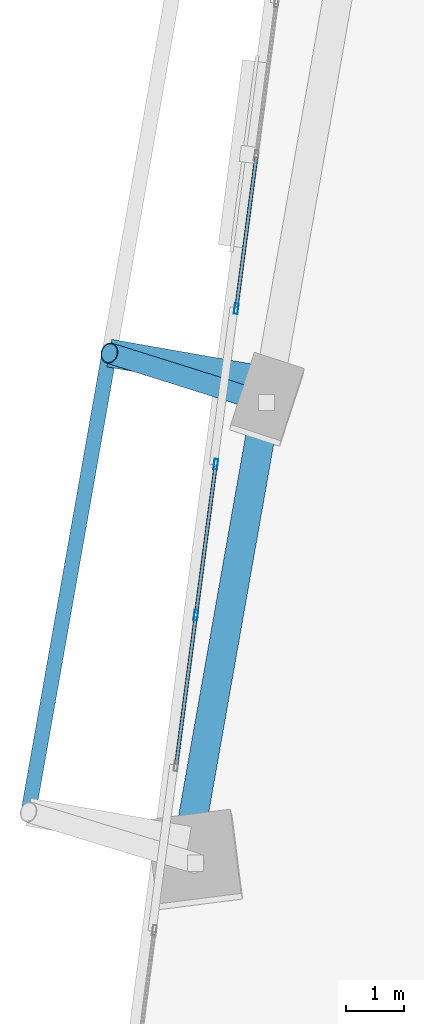
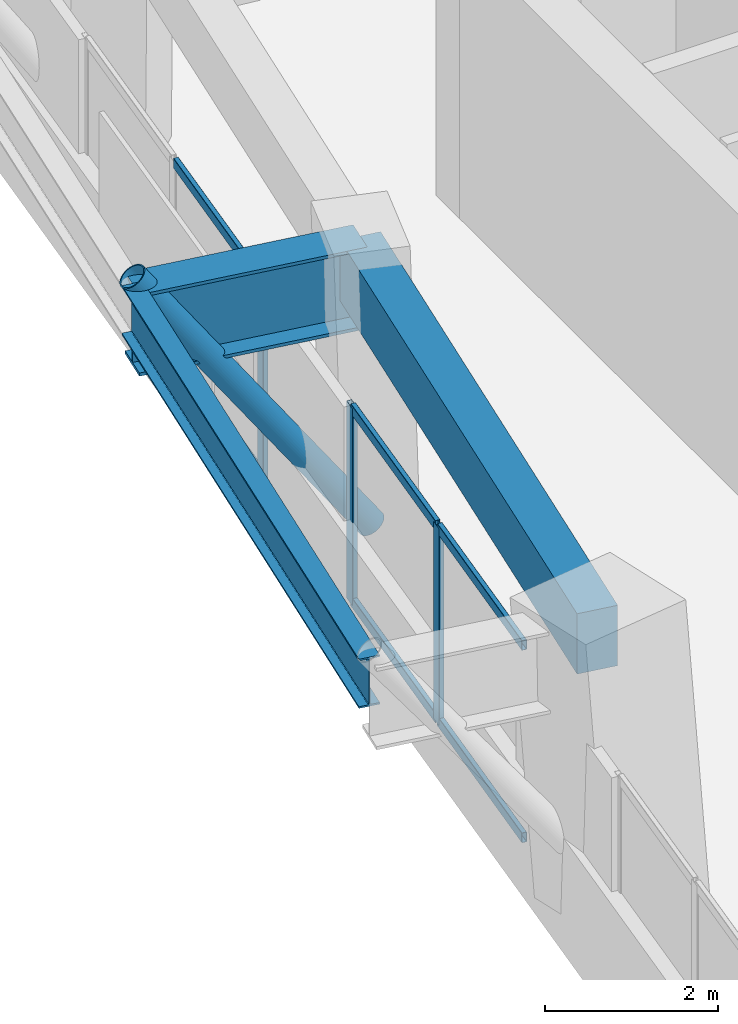
# One storey, part 6 of 24: 10 members, 3 beams, 2 elements without a shape of their own.
"""IFC4 building model written with IfcOpenShell, lengths in metres."""

from ifc_helpers import new_model, si_unit, direction, frame, origin, origin_2d, place, context, subcontext, project, spatial, rectangle, hollow_rectangle, hollow_circle, i_section, extrude, source, transform, mapped, material, material_profile, profile_set, type_object, element, aggregate, save


model = new_model("IFC4")

# Units and contexts
model_context = context("Model", 3, precision=1e-05, world=origin(), true_north=direction((0.0, 1.0)))
body_context = subcontext(model_context, "Body", "Model", "MODEL_VIEW")
ifc_project = project(units=[si_unit("LENGTHUNIT", "METRE"), si_unit("AREAUNIT", "SQUARE_METRE"), si_unit("VOLUMEUNIT", "CUBIC_METRE"), si_unit("PLANEANGLEUNIT", "RADIAN"), si_unit("MASSUNIT", "GRAM", prefix="KILO")], contexts=[model_context])

# Site, building, storey
site_placement = place(None, origin())
site = spatial("IfcSite", under=ifc_project, at=site_placement, CompositionType="ELEMENT")
building_placement = place(site_placement, origin())
building = spatial("IfcBuilding", under=site, at=building_placement, Name="Torre Montelarca", CompositionType="ELEMENT")
storey_placement = place(building_placement, frame((0.0, 0.0, 70.60009765625)))
storey = spatial("IfcBuildingStorey", under=building, at=storey_placement, Name="L15", CompositionType="ELEMENT", Elevation=70.60009765625)

# Member
ifc_material_1 = material(Name="Steel ASTM A500 Grade C", Category="steel")
ifc_material_profile_1 = material_profile(ifc_material_1, hollow_circle(Radius=0.177734375, WallThickness=0.015869140625, at=origin_2d()), Name="HSS355.6X15.9", Category="steel")
ifc_profile_set_1 = profile_set([ifc_material_profile_1], Name="Steel ASTM A500 Grade C")
member_type_1 = type_object("IfcMemberType", Name="MB-BR-CHS356-EXT", PredefinedType="BRACE", material=ifc_profile_set_1)
shared_shape_1 = source(origin(), body_context, "Body", "SweptSolid", [
    extrude(hollow_circle(Radius=0.177734375, WallThickness=0.015869140625, at=origin_2d()), origin(), (0.0, 0.0, 1.0), 4.825439453125),
])
member_1_placement = place(storey_placement, frame((4.84619140625, 34.563232421875, 0.14990234375), z_axis=(-0.559056876718, 0.175913190982, 0.810253020872), x_axis=(-0.300152061778, -0.953891366881, 0.0)))
element("IfcMember", 1, at=member_1_placement, inside=storey, type_object=member_type_1, Name="L16 Sliding Tray Exterior Diagonal Raker Strut W2", PredefinedType="BRACE", context=body_context, shape_type="MappedRepresentation", body=[
    mapped(shared_shape_1, transform((0.0, 0.0, 0.0), scale=1.0)),
])

# Beams
ifc_material_2 = material(Name="Concrete C55/67", Category="concrete")
ifc_material_profile_2 = material_profile(ifc_material_2, rectangle(XDim=0.5, YDim=0.85009765625, at=origin_2d()), Name="RCB500X850", Category="concrete")
ifc_profile_set_2 = profile_set([ifc_material_profile_2], Name="Concrete C55/67")
beam_type_1 = type_object("IfcBeamType", Name="BM-SP-RC850-EXT", PredefinedType="SPANDREL", material=ifc_profile_set_2)
shared_shape_2 = source(origin(), body_context, "Body", "SweptSolid", [
    extrude(rectangle(XDim=0.5, YDim=0.85009765625, at=origin_2d()), origin(), (0.0, 0.0, 1.0), 8.0),
])
beam_1_placement = place(storey_placement, frame((3.516845703125, 27.047607421875, 3.534912109375), z_axis=(0.173646056486, 0.984808127031, 0.0), x_axis=(-0.984808127031, 0.173646056486, 0.0)))
element("IfcBeam", 2, at=beam_1_placement, inside=storey, type_object=beam_type_1, Name="L15 Grid Girder Y 24.0-32.0 at X=4.7", PredefinedType="SPANDREL", context=body_context, shape_type="MappedRepresentation", body=[
    mapped(shared_shape_2, transform((0.0, 0.0, 0.0), scale=1.0)),
])
ifc_material_3 = material(Name="Steel ASTM A992 Grade 50", Category="steel")
ifc_material_profile_3 = material_profile(ifc_material_3, i_section(OverallWidth=0.256103515625, OverallDepth=0.693115234375, WebThickness=0.014404296875, FlangeThickness=0.023681640625, FilletRadius=0.01806640625, at=origin_2d()), Name="W690X170", Category="steel")
ifc_profile_set_3 = profile_set([ifc_material_profile_3], Name="Steel ASTM A992 Grade 50")
beam_type_2 = type_object("IfcBeamType", Name="BM-G-W690-EXT", PredefinedType="BEAM", material=ifc_profile_set_3)
shared_shape_3 = source(origin(), body_context, "Body", "SweptSolid", [
    extrude(i_section(OverallWidth=0.256103515625, OverallDepth=0.693115234375, WebThickness=0.014404296875, FlangeThickness=0.023681640625, FilletRadius=0.01806640625, at=origin_2d()), origin(), (0.0, 0.0, 1.0), 8.0),
])
beam_2_placement = place(storey_placement, frame((0.75927734375, 27.53369140625, 3.614013671875), z_axis=(0.173646056486, 0.984808127031, 0.0), x_axis=(-0.984808127031, 0.173646056486, 0.0)))
element("IfcBeam", 3, at=beam_2_placement, inside=storey, type_object=beam_type_2, Name="L15 Sliding Tray Edge Girder West 24.0-32.0m (FLR)", PredefinedType="BEAM", context=body_context, shape_type="MappedRepresentation", body=[
    mapped(shared_shape_3, transform((0.0, 0.0, 0.0), scale=1.0)),
])
ifc_material_4 = material(Name="Steel ASTM A572 Grade 50", Category="steel")
ifc_material_profile_4 = material_profile(ifc_material_4, i_section(OverallWidth=0.47998046875, OverallDepth=1.14990234375, WebThickness=0.02197265625, FlangeThickness=0.044921875, at=origin_2d()), Name="PG1150X480X22X45", Category="steel")
ifc_profile_set_4 = profile_set([ifc_material_profile_4], Name="Steel ASTM A572 Grade 50")
beam_type_3 = type_object("IfcBeamType", Name="BM-CG-PG1400-EXT", PredefinedType="USERDEFINED", material=ifc_profile_set_4)
shared_shape_4 = source(origin(), body_context, "Body", "SweptSolid", [
    extrude(i_section(OverallWidth=0.47998046875, OverallDepth=1.14990234375, WebThickness=0.02197265625, FlangeThickness=0.044921875, at=origin_2d()), origin(), (0.0, 0.0, 1.0), 2.800048828125),
])
beam_3_placement = place(storey_placement, frame((4.906005859375, 34.926025390625, 3.385009765625), z_axis=(-0.984816895441, 0.173596320392, 0.0), x_axis=(-0.173596320392, -0.984816895441, 0.0)))
element("IfcBeam", 4, at=beam_3_placement, inside=storey, type_object=beam_type_3, Name="L15 Sliding Tray Cantilever Girder West Y=32.0m (FLR)", ObjectType="CANTILEVER GIRDER", PredefinedType="USERDEFINED", context=body_context, shape_type="MappedRepresentation", body=[
    mapped(shared_shape_4, transform((0.0, 0.0, 0.0), scale=1.0)),
])

# Curtain wall, members
ifc_material_5 = material(Name="Insulated low-E laminated glass", Category="glass")
curtain_wall_type = type_object("IfcCurtainWallType", Name="CW-SYS-Z1", PredefinedType="USERDEFINED", material=ifc_material_5)
curtain_wall_1_placement = place(storey_placement, origin())
curtain_wall_1 = element("IfcCurtainWall", 5, at=curtain_wall_1_placement, inside=storey, type_object=curtain_wall_type, Name="L15 Curtain Wall Run CW-T3-L15-E10-B1", ObjectType="UNITISED GLAZING", PredefinedType="USERDEFINED")
ifc_material_6 = material(Name="Anodised aluminium AA 6063-T6", Category="aluminium")
ifc_material_profile_5 = material_profile(ifc_material_6, hollow_rectangle(XDim=0.06494140625, YDim=0.139892578125, WallThickness=0.00390625, InnerFilletRadius=0.00390625, OuterFilletRadius=0.008056640625, at=origin_2d()), Name="ALU65X140X4", Category="aluminium")
ifc_profile_set_5 = profile_set([ifc_material_profile_5], Name="Anodised aluminium AA 6063-T6")
member_type_2 = type_object("IfcMemberType", Name="CWT-ALU140", PredefinedType="USERDEFINED", material=ifc_profile_set_5)
shared_shape_5 = source(origin(), body_context, "Body", "SweptSolid", [
    extrude(hollow_rectangle(XDim=0.06494140625, YDim=0.139892578125, WallThickness=0.00390625, InnerFilletRadius=0.00390625, OuterFilletRadius=0.008056640625, at=origin_2d()), origin(), (0.0, 0.0, 1.0), 2.587890625),
])
member_2_placement = place(storey_placement, frame((4.670166015625, 38.7724609375, 0.032470703125), z_axis=(-0.130569211945, -0.99143919677, 0.0), x_axis=(0.99143919677, -0.130569211945, 0.0)))
member_2 = element("IfcMember", 6, at=member_2_placement, type_object=member_type_2, Name="CW transom 2.1", ObjectType="TRANSOM", PredefinedType="USERDEFINED", context=body_context, shape_type="MappedRepresentation", body=[
    mapped(shared_shape_5, transform((0.0, 0.0, 0.0), scale=1.0)),
])
member_3_placement = place(storey_placement, frame((4.670166015625, 38.7724609375, 2.742431640625), z_axis=(-0.130569211945, -0.99143919677, 0.0), x_axis=(0.99143919677, -0.130569211945, 0.0)))
member_3 = element("IfcMember", 7, at=member_3_placement, type_object=member_type_2, Name="CW transom 2.2", ObjectType="TRANSOM", PredefinedType="USERDEFINED", context=body_context, shape_type="MappedRepresentation", body=[
    mapped(shared_shape_5, transform((0.0, 0.0, 0.0), scale=1.0)),
])

curtain_wall_2_placement = place(storey_placement, origin())
curtain_wall_2 = element("IfcCurtainWall", 8, at=curtain_wall_2_placement, inside=storey, type_object=curtain_wall_type, Name="L15 Curtain Wall Run CW-T3-L15-E10-B2", ObjectType="UNITISED GLAZING", PredefinedType="USERDEFINED")
shared_shape_6 = source(origin(), body_context, "Body", "SweptSolid", [
    extrude(hollow_rectangle(XDim=0.06494140625, YDim=0.139892578125, WallThickness=0.00390625, InnerFilletRadius=0.00390625, OuterFilletRadius=0.008056640625, at=origin_2d()), origin(), (0.0, 0.0, 1.0), 2.54736328125),
])
member_4_placement = place(storey_placement, frame((3.63134765625, 30.8828125, 0.032470703125), z_axis=(-0.130531365258, -0.991444180317, 0.0), x_axis=(0.991444180317, -0.130531365258, 0.0)))
member_4 = element("IfcMember", 9, at=member_4_placement, type_object=member_type_2, Name="CW transom 2.1", ObjectType="TRANSOM", PredefinedType="USERDEFINED", context=body_context, shape_type="MappedRepresentation", body=[
    mapped(shared_shape_6, transform((0.0, 0.0, 0.0), scale=1.0)),
])
member_5_placement = place(storey_placement, frame((3.63134765625, 30.8828125, 2.742431640625), z_axis=(-0.130531365258, -0.991444180317, 0.0), x_axis=(0.991444180317, -0.130531365258, 0.0)))
member_5 = element("IfcMember", 10, at=member_5_placement, type_object=member_type_2, Name="CW transom 2.2", ObjectType="TRANSOM", PredefinedType="USERDEFINED", context=body_context, shape_type="MappedRepresentation", body=[
    mapped(shared_shape_6, transform((0.0, 0.0, 0.0), scale=1.0)),
])
shared_shape_7 = source(origin(), body_context, "Body", "SweptSolid", [
    extrude(hollow_rectangle(XDim=0.06494140625, YDim=0.139892578125, WallThickness=0.00390625, InnerFilletRadius=0.00390625, OuterFilletRadius=0.008056640625, at=origin_2d()), origin(), (0.0, 0.0, 1.0), 2.547607421875),
])
member_6_placement = place(storey_placement, frame((3.972412109375, 33.47314453125, 0.032470703125), z_axis=(-0.130518963592, -0.991445813014, 0.0), x_axis=(0.991445813014, -0.130518963592, 0.0)))
member_6 = element("IfcMember", 11, at=member_6_placement, type_object=member_type_2, Name="CW transom 1.1", ObjectType="TRANSOM", PredefinedType="USERDEFINED", context=body_context, shape_type="MappedRepresentation", body=[
    mapped(shared_shape_7, transform((0.0, 0.0, 0.0), scale=1.0)),
])
member_7_placement = place(storey_placement, frame((3.972412109375, 33.47314453125, 2.742431640625), z_axis=(-0.130518963592, -0.991445813014, 0.0), x_axis=(0.991445813014, -0.130518963592, 0.0)))
member_7 = element("IfcMember", 12, at=member_7_placement, type_object=member_type_2, Name="CW transom 1.2", ObjectType="TRANSOM", PredefinedType="USERDEFINED", context=body_context, shape_type="MappedRepresentation", body=[
    mapped(shared_shape_7, transform((0.0, 0.0, 0.0), scale=1.0)),
])

# Member
ifc_material_profile_6 = material_profile(ifc_material_6, hollow_rectangle(XDim=0.06494140625, YDim=0.179931640625, WallThickness=0.00390625, InnerFilletRadius=0.00390625, OuterFilletRadius=0.008056640625, at=origin_2d()), Name="ALU65X180X4", Category="aluminium")
ifc_profile_set_6 = profile_set([ifc_material_profile_6], Name="Anodised aluminium AA 6063-T6")
member_type_3 = type_object("IfcMemberType", Name="CWM-ALU180", PredefinedType="MULLION", material=ifc_profile_set_6)
shared_shape_8 = source(origin(), body_context, "Body", "SweptSolid", [
    extrude(hollow_rectangle(XDim=0.06494140625, YDim=0.179931640625, WallThickness=0.00390625, InnerFilletRadius=0.00390625, OuterFilletRadius=0.008056640625, at=origin_2d()), origin(), (0.0, 0.0, 1.0), 2.77490234375),
])
member_8_placement = place(storey_placement, frame((4.328125, 36.174560546875, 0.0), z_axis=(0.0, 0.0, 1.0), x_axis=(0.991445103629, -0.130524352098, 0.0)))
member_8 = element("IfcMember", 13, at=member_8_placement, type_object=member_type_3, Name="CW mullion 3", PredefinedType="MULLION", context=body_context, shape_type="MappedRepresentation", body=[
    mapped(shared_shape_8, transform((0.0, 0.0, 0.0), scale=1.0)),
])

aggregate(curtain_wall_1, [member_8, member_2, member_3])

member_9_placement = place(storey_placement, frame((3.9765625, 33.50537109375, 0.0), z_axis=(0.0, 0.0, 1.0), x_axis=(0.99144464168, -0.130527860946, 0.0)))
member_9 = element("IfcMember", 14, at=member_9_placement, type_object=member_type_3, Name="CW mullion 1", PredefinedType="MULLION", context=body_context, shape_type="MappedRepresentation", body=[
    mapped(shared_shape_8, transform((0.0, 0.0, 0.0), scale=1.0)),
])

member_10_placement = place(storey_placement, frame((3.635498046875, 30.9150390625, 0.0), z_axis=(0.0, 0.0, 1.0), x_axis=(0.99144464168, -0.130527860946, 0.0)))
member_10 = element("IfcMember", 15, at=member_10_placement, type_object=member_type_3, Name="CW mullion 2", PredefinedType="MULLION", context=body_context, shape_type="MappedRepresentation", body=[
    mapped(shared_shape_8, transform((0.0, 0.0, 0.0), scale=1.0)),
])

aggregate(curtain_wall_2, [member_9, member_10, member_6, member_7, member_4, member_5])

save(model, "model.ifc")
